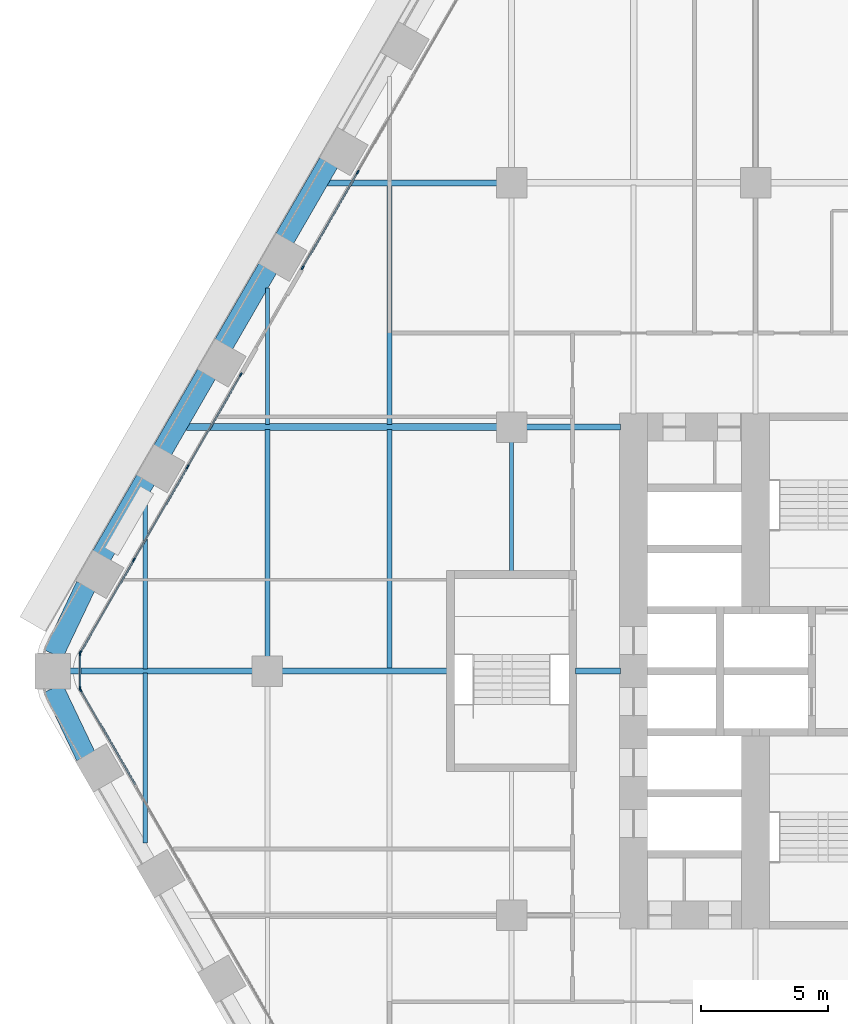
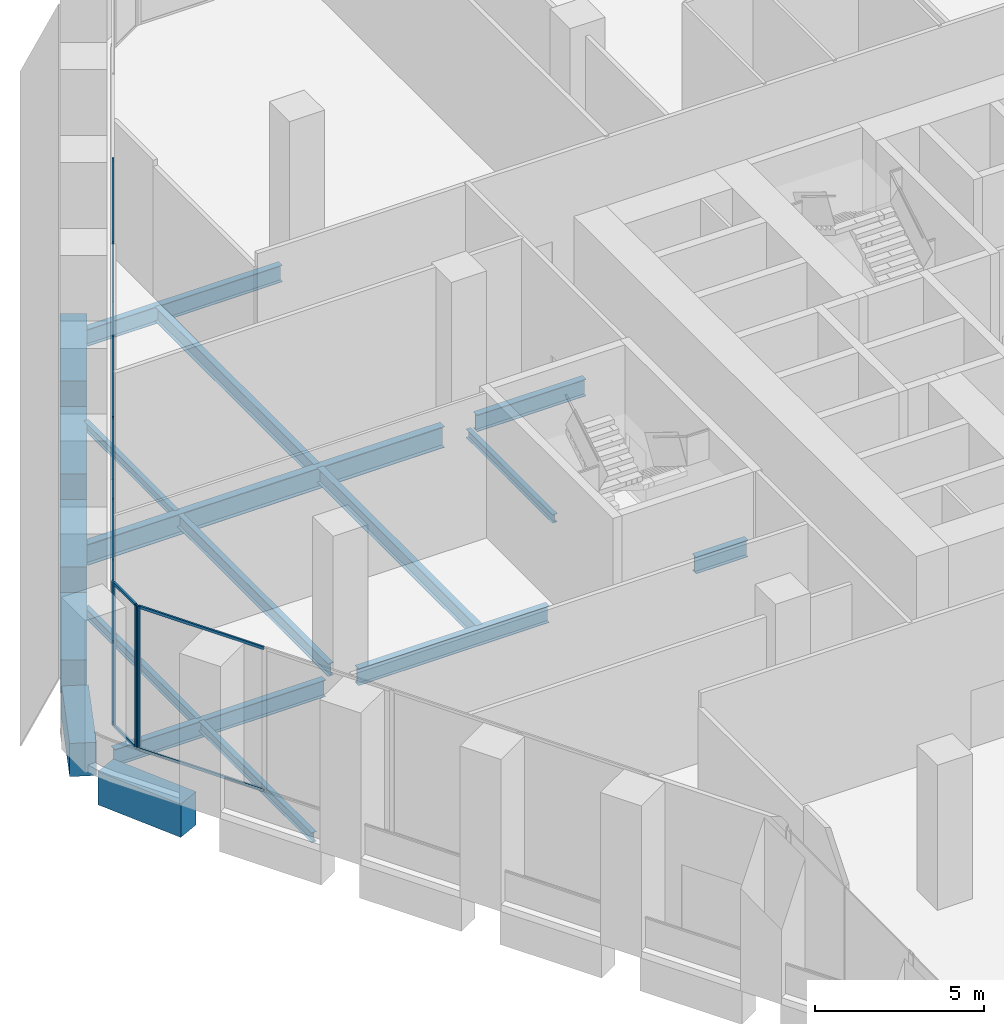
# One storey, part 8 of 29: 21 members, 19 beams, 4 elements without a shape of their own.
"""IFC4 building model written with IfcOpenShell, lengths in metres."""

from ifc_helpers import new_model, si_unit, direction, frame, origin, origin_2d, place, context, subcontext, project, spatial, rectangle, i_section, extrude, material, material_profile, profile_set, type_object, element, aggregate, save


model = new_model("IFC4")

# Units and contexts
model_context = context("Model", 3, precision=1e-05, world=origin(), true_north=direction((0.0, 1.0)))
body_context = subcontext(model_context, "Body", "Model", "MODEL_VIEW")
ifc_project = project(units=[si_unit("LENGTHUNIT", "METRE"), si_unit("AREAUNIT", "SQUARE_METRE"), si_unit("VOLUMEUNIT", "CUBIC_METRE"), si_unit("PLANEANGLEUNIT", "RADIAN"), si_unit("MASSUNIT", "GRAM", prefix="KILO")], contexts=[model_context])

# Site, building, storey
site_placement = place(None, origin())
site = spatial("IfcSite", under=ifc_project, at=site_placement, CompositionType="ELEMENT")
building_placement = place(site_placement, origin())
building = spatial("IfcBuilding", under=site, at=building_placement, Name="Kolab Exchange Tower", CompositionType="ELEMENT")
storey_placement = place(building_placement, frame((0.0, 0.0, 55.39990234375)))
storey = spatial("IfcBuildingStorey", under=building, at=storey_placement, Name="L10", CompositionType="ELEMENT", Elevation=55.39990234375)

# Beams
ifc_material_1 = material(Name="Steel S355", Category="steel")
ifc_material_profile_1 = material_profile(ifc_material_1, i_section(OverallWidth=0.1650390625, OverallDepth=0.31005859375, WebThickness=0.005859375, FlangeThickness=0.009765625, at=origin_2d()), Name="W310X39")
ifc_profile_set_1 = profile_set([ifc_material_profile_1], Name="Steel S355")
beam_type_1 = type_object("IfcBeamType", Name="FLOOR BEAM W310X39", PredefinedType="BEAM", material=ifc_profile_set_1)
beam_1_placement = place(storey_placement, frame((-28.800048828125, 9.693603515625, -0.40478515625), z_axis=(0.0, 1.0, 0.0), x_axis=(-1.0, 0.0, 0.0)))
element("IfcBeam", 1, at=beam_1_placement, inside=storey, type_object=beam_type_1, Name="beam/L10/fr/005", PredefinedType="BEAM", context=body_context, shape_type="SweptSolid", body=[
    extrude(i_section(OverallWidth=0.1650390625, OverallDepth=0.31005859375, WebThickness=0.005859375, FlangeThickness=0.009765625, at=origin_2d()), origin(), (0.0, 0.0, 1.0), 5.3740234375),
])
beam_2_placement = place(storey_placement, frame((-19.199951171875, 3.909912109375, -0.40478515625), z_axis=(0.0, 1.0, 0.0), x_axis=(-1.0, 0.0, 0.0)))
element("IfcBeam", 2, at=beam_2_placement, inside=storey, type_object=beam_type_1, Name="beam/L10/fr/015", PredefinedType="BEAM", context=body_context, shape_type="SweptSolid", body=[
    extrude(i_section(OverallWidth=0.1650390625, OverallDepth=0.31005859375, WebThickness=0.005859375, FlangeThickness=0.009765625, at=origin_2d()), origin(), (0.0, 0.0, 1.0), 5.130126953125),
])
ifc_material_profile_2 = material_profile(ifc_material_1, i_section(OverallWidth=0.1708984375, OverallDepth=0.35498046875, WebThickness=0.007080078125, FlangeThickness=0.01171875, at=origin_2d()), Name="W360X51")
ifc_profile_set_2 = profile_set([ifc_material_profile_2], Name="Steel S355")
beam_type_2 = type_object("IfcBeamType", Name="FLOOR BEAM W360X51", PredefinedType="BEAM", material=ifc_profile_set_2)
for number, where, z_axis, x_axis, name in (
    (3, (-33.60009765625, -6.75390625, -0.427490234375), (0.0, 1.0, 0.0), (-1.0, 0.0, 0.0), "beam/L10/fr/000"),
    (4, (-33.60009765625, 0.073974609375, -0.427490234375), (0.0, 1.0, 0.0), (-1.0, 0.0, 0.0), "beam/L10/fr/001"),
):
    element("IfcBeam", number, at=place(storey_placement, frame(where, z_axis=z_axis, x_axis=x_axis)), inside=storey, type_object=beam_type_2, Name=name, PredefinedType="BEAM", context=body_context, shape_type="SweptSolid", body=[
        extrude(i_section(OverallWidth=0.1708984375, OverallDepth=0.35498046875, WebThickness=0.007080078125, FlangeThickness=0.01171875, at=origin_2d()), origin(), (0.0, 0.0, 1.0), 6.679931640625),
    ])
ifc_material_profile_3 = material_profile(ifc_material_1, i_section(OverallWidth=0.18994140625, OverallDepth=0.45703125, WebThickness=0.009033203125, FlangeThickness=0.014404296875, at=origin_2d()), Name="W460X74")
ifc_profile_set_3 = profile_set([ifc_material_profile_3], Name="Steel S355")
beam_type_3 = type_object("IfcBeamType", Name="FLOOR BEAM W460X74", PredefinedType="BEAM", material=ifc_profile_set_3)
beam_3_placement = place(storey_placement, frame((-28.800048828125, 0.56005859375, -0.478515625), z_axis=(0.0, 1.0, 0.0), x_axis=(-1.0, 0.0, 0.0)))
element("IfcBeam", 5, at=beam_3_placement, inside=storey, type_object=beam_type_3, Name="beam/L10/fr/004", PredefinedType="BEAM", context=body_context, shape_type="SweptSolid", body=[
    extrude(i_section(OverallWidth=0.18994140625, OverallDepth=0.45703125, WebThickness=0.009033203125, FlangeThickness=0.014404296875, at=origin_2d()), origin(), (0.0, 0.0, 1.0), 8.946533203125),
])
ifc_material_profile_4 = material_profile(ifc_material_1, i_section(OverallWidth=0.208984375, OverallDepth=0.532958984375, WebThickness=0.01025390625, FlangeThickness=0.015625, at=origin_2d()), Name="W530X92")
ifc_profile_set_4 = profile_set([ifc_material_profile_4], Name="Steel S355")
beam_type_4 = type_object("IfcBeamType", Name="FLOOR BEAM W530X92", PredefinedType="BEAM", material=ifc_profile_set_4)
beam_4_placement = place(storey_placement, frame((-24.0, 0.073974609375, -0.516357421875), z_axis=(0.0, 1.0, 0.0), x_axis=(-1.0, 0.0, 0.0)))
element("IfcBeam", 6, at=beam_4_placement, inside=storey, type_object=beam_type_4, Name="beam/L10/fr/009", PredefinedType="BEAM", context=body_context, shape_type="SweptSolid", body=[
    extrude(i_section(OverallWidth=0.208984375, OverallDepth=0.532958984375, WebThickness=0.01025390625, FlangeThickness=0.015625, at=origin_2d()), origin(), (0.0, 0.0, 1.0), 9.4326171875),
])
beam_5_placement = place(storey_placement, frame((-24.0, 9.693603515625, -0.516357421875), z_axis=(0.0, 1.0, 0.0), x_axis=(-1.0, 0.0, 0.0)))
element("IfcBeam", 7, at=beam_5_placement, inside=storey, type_object=beam_type_4, Name="beam/L10/fr/010", PredefinedType="BEAM", context=body_context, shape_type="SweptSolid", body=[
    extrude(i_section(OverallWidth=0.208984375, OverallDepth=0.532958984375, WebThickness=0.01025390625, FlangeThickness=0.015625, at=origin_2d()), origin(), (0.0, 0.0, 1.0), 9.432373046875),
])
ifc_material_profile_5 = material_profile(ifc_material_1, i_section(OverallWidth=0.22802734375, OverallDepth=0.60791015625, WebThickness=0.01123046875, FlangeThickness=0.017333984375, at=origin_2d()), Name="W610X113")
ifc_profile_set_5 = profile_set([ifc_material_profile_5], Name="Steel S355")
beam_type_5 = type_object("IfcBeamType", Name="FLOOR GIRDER W610X113", PredefinedType="BEAM", material=ifc_profile_set_5)
beam_6_placement = place(storey_placement, frame((-36.575927734375, 0.0, -0.553955078125), z_axis=(1.0, 0.0, 0.0), x_axis=(0.0, 1.0, 0.0)))
element("IfcBeam", 8, at=beam_6_placement, inside=storey, type_object=beam_type_5, Name="beam/L10/gd/000", PredefinedType="BEAM", context=body_context, shape_type="SweptSolid", body=[
    extrude(i_section(OverallWidth=0.22802734375, OverallDepth=0.60791015625, WebThickness=0.01123046875, FlangeThickness=0.017333984375, at=origin_2d()), origin(), (0.0, 0.0, 1.0), 7.2158203125),
])
beam_7_placement = place(storey_placement, frame((-28.239990234375, 0.0, -0.553955078125), z_axis=(1.0, 0.0, 0.0), x_axis=(0.0, 1.0, 0.0)))
element("IfcBeam", 9, at=beam_7_placement, inside=storey, type_object=beam_type_5, Name="beam/L10/gd/003", PredefinedType="BEAM", context=body_context, shape_type="SweptSolid", body=[
    extrude(i_section(OverallWidth=0.22802734375, OverallDepth=0.60791015625, WebThickness=0.01123046875, FlangeThickness=0.017333984375, at=origin_2d()), origin(), (0.0, 0.0, 1.0), 6.530029296875),
])
beam_8_placement = place(storey_placement, frame((-26.43115234375, 19.199951171875, -0.553955078125), z_axis=(1.0, 0.0, 0.0), x_axis=(0.0, 1.0, 0.0)))
element("IfcBeam", 10, at=beam_8_placement, inside=storey, type_object=beam_type_5, Name="beam/L10/gd/005", PredefinedType="BEAM", context=body_context, shape_type="SweptSolid", body=[
    extrude(i_section(OverallWidth=0.22802734375, OverallDepth=0.60791015625, WebThickness=0.01123046875, FlangeThickness=0.017333984375, at=origin_2d()), origin(), (0.0, 0.0, 1.0), 6.671142578125),
])
beam_9_placement = place(storey_placement, frame((-18.639892578125, 9.60009765625, -0.553955078125), z_axis=(1.0, 0.0, 0.0), x_axis=(0.0, 1.0, 0.0)))
element("IfcBeam", 11, at=beam_9_placement, inside=storey, type_object=beam_type_5, Name="beam/L10/gd/008", PredefinedType="BEAM", context=body_context, shape_type="SweptSolid", body=[
    extrude(i_section(OverallWidth=0.22802734375, OverallDepth=0.60791015625, WebThickness=0.01123046875, FlangeThickness=0.017333984375, at=origin_2d()), origin(), (0.0, 0.0, 1.0), 3.72998046875),
])
beam_10_placement = place(storey_placement, frame((-16.68994140625, 0.0, -0.553955078125), z_axis=(1.0, 0.0, 0.0), x_axis=(0.0, 1.0, 0.0)))
element("IfcBeam", 12, at=beam_10_placement, inside=storey, type_object=beam_type_5, Name="beam/L10/gd/010", PredefinedType="BEAM", context=body_context, shape_type="SweptSolid", body=[
    extrude(i_section(OverallWidth=0.22802734375, OverallDepth=0.60791015625, WebThickness=0.01123046875, FlangeThickness=0.017333984375, at=origin_2d()), origin(), (0.0, 0.0, 1.0), 1.780029296875),
])
ifc_material_profile_6 = material_profile(ifc_material_1, i_section(OverallWidth=0.26708984375, OverallDepth=0.761962890625, WebThickness=0.014404296875, FlangeThickness=0.021484375, at=origin_2d()), Name="W760X173")
ifc_profile_set_6 = profile_set([ifc_material_profile_6], Name="Steel S355")
beam_type_6 = type_object("IfcBeamType", Name="FLOOR GIRDER W760X173", PredefinedType="BEAM", material=ifc_profile_set_6)
beam_11_placement = place(storey_placement, frame((-31.9736328125, 9.60009765625, -0.630859375), z_axis=(1.0, 0.0, 0.0), x_axis=(0.0, 1.0, 0.0)))
element("IfcBeam", 13, at=beam_11_placement, inside=storey, type_object=beam_type_6, Name="beam/L10/gd/002", PredefinedType="BEAM", context=body_context, shape_type="SweptSolid", body=[
    extrude(i_section(OverallWidth=0.26708984375, OverallDepth=0.761962890625, WebThickness=0.014404296875, FlangeThickness=0.021484375, at=origin_2d()), origin(), (0.0, 0.0, 1.0), 12.213623046875),
])
ifc_material_2 = material(Name="Concrete C80/95", Category="concrete")
ifc_material_profile_7 = material_profile(ifc_material_2, rectangle(XDim=0.800048828125, YDim=1.199951171875, at=origin_2d()), Name="RC800X1200")
ifc_profile_set_7 = profile_set([ifc_material_profile_7], Name="Concrete C80/95")
beam_type_7 = type_object("IfcBeamType", Name="SPANDREL BEAM 800X1200 C80/95", PredefinedType="BEAM", material=ifc_profile_set_7)
for number, where, z_axis, x_axis, name in (
    (14, (-35.93798828125, -3.35888671875, -0.849853515625), (-0.429555669245, 0.903040379507, 0.0), (-0.903040379507, -0.429555669245, 0.0), "beam/L10/sp/F5-08"),
    (15, (-37.219970703125, 0.663818359375, -0.849853515625), (0.429555669245, 0.903040379507, 0.0), (-0.903040379507, 0.429555669245, 0.0), "beam/L10/sp/F6-01"),
):
    element("IfcBeam", number, at=place(storey_placement, frame(where, z_axis=z_axis, x_axis=x_axis)), inside=storey, type_object=beam_type_7, Name=name, PredefinedType="BEAM", context=body_context, shape_type="SweptSolid", body=[
        extrude(rectangle(XDim=0.800048828125, YDim=1.199951171875, at=origin_2d()), origin(), (0.0, 0.0, 1.0), 2.984375),
    ])
beam_12_placement = place(storey_placement, frame((-35.323486328125, 4.528564453125, -0.849853515625), z_axis=(0.500009906705, 0.86601968407, 0.0), x_axis=(-0.86601968407, 0.500009906705, 0.0)))
element("IfcBeam", 16, at=beam_12_placement, inside=storey, type_object=beam_type_7, Name="beam/L10/sp/F6-02", PredefinedType="BEAM", context=body_context, shape_type="SweptSolid", body=[
    extrude(rectangle(XDim=0.800048828125, YDim=1.199951171875, at=origin_2d()), origin(), (0.0, 0.0, 1.0), 3.47998046875),
])
for number, where, z_axis, x_axis, name in (
    (17, (-32.923583984375, 8.685302734375, -0.849853515625), (0.499979528911, 0.866037222451, 0.0), (-0.866037222451, 0.499979528911, 0.0), "beam/L10/sp/F6-03"),
    (18, (-30.523681640625, 12.84228515625, -0.849853515625), (0.499979528911, 0.866037222451, 0.0), (-0.866037222451, 0.499979528911, 0.0), "beam/L10/sp/F6-04"),
):
    element("IfcBeam", number, at=place(storey_placement, frame(where, z_axis=z_axis, x_axis=x_axis)), inside=storey, type_object=beam_type_7, Name=name, PredefinedType="BEAM", context=body_context, shape_type="SweptSolid", body=[
        extrude(rectangle(XDim=0.800048828125, YDim=1.199951171875, at=origin_2d()), origin(), (0.0, 0.0, 1.0), 3.480224609375),
    ])
beam_13_placement = place(storey_placement, frame((-28.12353515625, 16.999267578125, -0.849853515625), z_axis=(0.500009906705, 0.86601968407, 0.0), x_axis=(-0.86601968407, 0.500009906705, 0.0)))
element("IfcBeam", 19, at=beam_13_placement, inside=storey, type_object=beam_type_7, Name="beam/L10/sp/F6-05", PredefinedType="BEAM", context=body_context, shape_type="SweptSolid", body=[
    extrude(rectangle(XDim=0.800048828125, YDim=1.199951171875, at=origin_2d()), origin(), (0.0, 0.0, 1.0), 3.47998046875),
])

# Curtain wall, member
ifc_material_3 = material(Name="Aluminium EN AW-6063 T6", Category="aluminium")
curtain_wall_type = type_object("IfcCurtainWallType", Name="UNITISED LOW ZONE CURTAIN WALL", PredefinedType="NOTDEFINED", material=ifc_material_3)
curtain_wall_1_placement = place(storey_placement, origin())
curtain_wall_1 = element("IfcCurtainWall", 20, at=curtain_wall_1_placement, inside=storey, type_object=curtain_wall_type, Name="cw/L10/F5-2", PredefinedType="NOTDEFINED")
ifc_material_profile_8 = material_profile(ifc_material_3, rectangle(XDim=0.06005859375, YDim=0.159912109375, at=origin_2d()), Name="RECT 60X160")
ifc_profile_set_8 = profile_set([ifc_material_profile_8], Name="Aluminium EN AW-6063 T6")
member_type_1 = type_object("IfcMemberType", Name="UNITISED LOW ZONE MULLION 60 X 160", PredefinedType="MULLION", material=ifc_profile_set_8)
member_1_placement = place(storey_placement, frame((-36.150634765625, -0.736083984375, 0.0), z_axis=(0.0, 0.0, 1.0), x_axis=(-0.866025422102, -0.499999968274, 0.0)))
member_1 = element("IfcMember", 21, at=member_1_placement, type_object=member_type_1, Name="CW1 mullion 5", PredefinedType="MULLION", context=body_context, shape_type="SweptSolid", body=[
    extrude(rectangle(XDim=0.06005859375, YDim=0.159912109375, at=origin_2d()), origin(), (0.0, 0.0, 1.0), 5.2001953125),
])

# Curtain wall, members
curtain_wall_2_placement = place(storey_placement, origin())
curtain_wall_2 = element("IfcCurtainWall", 22, at=curtain_wall_2_placement, inside=storey, type_object=curtain_wall_type, Name="cw/L10/F6-1", PredefinedType="NOTDEFINED")
member_2_placement = place(storey_placement, frame((-36.150634765625, 0.736083984375, 0.0), z_axis=(0.0, 0.0, 1.0), x_axis=(-0.866025427826, 0.499999958358, 0.0)))
member_2 = element("IfcMember", 23, at=member_2_placement, type_object=member_type_1, Name="CW1 mullion 1", PredefinedType="MULLION", context=body_context, shape_type="SweptSolid", body=[
    extrude(rectangle(XDim=0.06005859375, YDim=0.159912109375, at=origin_2d()), origin(), (0.0, 0.0, 1.0), 5.2001953125),
])
member_3_placement = place(storey_placement, frame((-34.054443359375, 4.366943359375, 0.0), z_axis=(0.0, 0.0, 1.0), x_axis=(-0.866025427826, 0.499999958358, 0.0)))
member_3 = element("IfcMember", 24, at=member_3_placement, type_object=member_type_1, Name="CW1 mullion 2", PredefinedType="MULLION", context=body_context, shape_type="SweptSolid", body=[
    extrude(rectangle(XDim=0.06005859375, YDim=0.159912109375, at=origin_2d()), origin(), (0.0, 0.0, 1.0), 5.2001953125),
])
member_4_placement = place(storey_placement, frame((-31.943115234375, 8.02392578125, 0.0), z_axis=(0.0, 0.0, 1.0), x_axis=(-0.866025427826, 0.499999958358, 0.0)))
member_4 = element("IfcMember", 25, at=member_4_placement, type_object=member_type_1, Name="CW1 mullion 3", PredefinedType="MULLION", context=body_context, shape_type="SweptSolid", body=[
    extrude(rectangle(XDim=0.06005859375, YDim=0.159912109375, at=origin_2d()), origin(), (0.0, 0.0, 1.0), 5.2001953125),
])
member_5_placement = place(storey_placement, frame((-29.8466796875, 11.65478515625, 0.0), z_axis=(0.0, 0.0, 1.0), x_axis=(-0.866025427826, 0.499999958358, 0.0)))
member_5 = element("IfcMember", 26, at=member_5_placement, type_object=member_type_1, Name="CW1 mullion 4", PredefinedType="MULLION", context=body_context, shape_type="SweptSolid", body=[
    extrude(rectangle(XDim=0.06005859375, YDim=0.159912109375, at=origin_2d()), origin(), (0.0, 0.0, 1.0), 5.2001953125),
])

curtain_wall_3_placement = place(storey_placement, origin())
curtain_wall_3 = element("IfcCurtainWall", 27, at=curtain_wall_3_placement, inside=storey, type_object=curtain_wall_type, Name="cw/L10/F6-2", PredefinedType="NOTDEFINED")
member_6_placement = place(storey_placement, frame((-27.416748046875, 15.86376953125, 0.0), z_axis=(0.0, 0.0, 1.0), x_axis=(-0.866025397318, 0.5000000112, 0.0)))
member_6 = element("IfcMember", 28, at=member_6_placement, type_object=member_type_1, Name="CW1 mullion 1", PredefinedType="MULLION", context=body_context, shape_type="SweptSolid", body=[
    extrude(rectangle(XDim=0.06005859375, YDim=0.159912109375, at=origin_2d()), origin(), (0.0, 0.0, 1.0), 5.2001953125),
])
member_7_placement = place(storey_placement, frame((-25.248291015625, 19.61962890625, 0.0), z_axis=(0.0, 0.0, 1.0), x_axis=(-0.866025397318, 0.5000000112, 0.0)))
member_7 = element("IfcMember", 29, at=member_7_placement, type_object=member_type_1, Name="CW1 mullion 2", PredefinedType="MULLION", context=body_context, shape_type="SweptSolid", body=[
    extrude(rectangle(XDim=0.06005859375, YDim=0.159912109375, at=origin_2d()), origin(), (0.0, 0.0, 1.0), 5.2001953125),
])

curtain_wall_4_placement = place(storey_placement, origin())
curtain_wall_4 = element("IfcCurtainWall", 30, at=curtain_wall_4_placement, inside=storey, type_object=curtain_wall_type, Name="cw/L10/F5F6-corner", PredefinedType="NOTDEFINED")
member_8_placement = place(storey_placement, frame((-36.165771484375, -0.679931640625, 0.0), z_axis=(0.0, 0.0, 1.0), x_axis=(-1.0, 0.0, 0.0)))
member_8 = element("IfcMember", 31, at=member_8_placement, type_object=member_type_1, Name="CW1 mullion 1", PredefinedType="MULLION", context=body_context, shape_type="SweptSolid", body=[
    extrude(rectangle(XDim=0.06005859375, YDim=0.159912109375, at=origin_2d()), origin(), (0.0, 0.0, 1.0), 5.2001953125),
])
member_9_placement = place(storey_placement, frame((-36.165771484375, 0.679931640625, 0.0), z_axis=(0.0, 0.0, 1.0), x_axis=(-1.0, 0.0, 0.0)))
member_9 = element("IfcMember", 32, at=member_9_placement, type_object=member_type_1, Name="CW1 mullion 2", PredefinedType="MULLION", context=body_context, shape_type="SweptSolid", body=[
    extrude(rectangle(XDim=0.06005859375, YDim=0.159912109375, at=origin_2d()), origin(), (0.0, 0.0, 1.0), 5.2001953125),
])

# Member
ifc_material_profile_9 = material_profile(ifc_material_3, rectangle(XDim=0.06005859375, YDim=0.10009765625, at=origin_2d()), Name="RECT 60X100")
ifc_profile_set_9 = profile_set([ifc_material_profile_9], Name="Aluminium EN AW-6063 T6")
member_type_2 = type_object("IfcMemberType", Name="UNITISED LOW ZONE TRANSOM 60 X 100", PredefinedType="USERDEFINED", material=ifc_profile_set_9)
member_10_placement = place(storey_placement, frame((-33.9970703125, -4.4658203125, 0.030029296875), z_axis=(-0.500043627578, 0.866000213925, 0.0), x_axis=(-0.866000213925, -0.500043627578, 0.0)))
member_10 = element("IfcMember", 33, at=member_10_placement, type_object=member_type_2, Name="CW1 transom 4.1", ObjectType="TRANSOM", PredefinedType="USERDEFINED", context=body_context, shape_type="SweptSolid", body=[
    extrude(rectangle(XDim=0.06005859375, YDim=0.10009765625, at=origin_2d()), origin(), (0.0, 0.0, 1.0), 4.27685546875),
])

member_11_placement = place(storey_placement, frame((-33.9970703125, -4.4658203125, 5.170166015625), z_axis=(-0.500043627578, 0.866000213925, 0.0), x_axis=(-0.866000213925, -0.500043627578, 0.0)))
member_11 = element("IfcMember", 34, at=member_11_placement, type_object=member_type_2, Name="CW1 transom 4.2", ObjectType="TRANSOM", PredefinedType="USERDEFINED", context=body_context, shape_type="SweptSolid", body=[
    extrude(rectangle(XDim=0.06005859375, YDim=0.10009765625, at=origin_2d()), origin(), (0.0, 0.0, 1.0), 4.27685546875),
])

aggregate(curtain_wall_1, [member_1, member_10, member_11])

member_12_placement = place(storey_placement, frame((-36.1357421875, 0.761962890625, 0.030029296875), z_axis=(0.500027577057, 0.866009481578, 0.0), x_axis=(-0.866009481578, 0.500027577057, 0.0)))
member_12 = element("IfcMember", 35, at=member_12_placement, type_object=member_type_2, Name="CW1 transom 1.1", ObjectType="TRANSOM", PredefinedType="USERDEFINED", context=body_context, shape_type="SweptSolid", body=[
    extrude(rectangle(XDim=0.06005859375, YDim=0.10009765625, at=origin_2d()), origin(), (0.0, 0.0, 1.0), 4.132568359375),
])

member_13_placement = place(storey_placement, frame((-36.1357421875, 0.761962890625, 5.170166015625), z_axis=(0.500027577057, 0.866009481578, 0.0), x_axis=(-0.866009481578, 0.500027577057, 0.0)))
member_13 = element("IfcMember", 36, at=member_13_placement, type_object=member_type_2, Name="CW1 transom 1.2", ObjectType="TRANSOM", PredefinedType="USERDEFINED", context=body_context, shape_type="SweptSolid", body=[
    extrude(rectangle(XDim=0.06005859375, YDim=0.10009765625, at=origin_2d()), origin(), (0.0, 0.0, 1.0), 4.132568359375),
])

member_14_placement = place(storey_placement, frame((-34.039306640625, 4.392822265625, 0.030029296875), z_axis=(0.49999322259, 0.866029316688, 0.0), x_axis=(-0.866029316688, 0.49999322259, 0.0)))
member_14 = element("IfcMember", 37, at=member_14_placement, type_object=member_type_2, Name="CW1 transom 2.1", ObjectType="TRANSOM", PredefinedType="USERDEFINED", context=body_context, shape_type="SweptSolid", body=[
    extrude(rectangle(XDim=0.06005859375, YDim=0.10009765625, at=origin_2d()), origin(), (0.0, 0.0, 1.0), 4.16259765625),
])

member_15_placement = place(storey_placement, frame((-34.039306640625, 4.392822265625, 5.170166015625), z_axis=(0.49999322259, 0.866029316688, 0.0), x_axis=(-0.866029316688, 0.49999322259, 0.0)))
member_15 = element("IfcMember", 38, at=member_15_placement, type_object=member_type_2, Name="CW1 transom 2.2", ObjectType="TRANSOM", PredefinedType="USERDEFINED", context=body_context, shape_type="SweptSolid", body=[
    extrude(rectangle(XDim=0.06005859375, YDim=0.10009765625, at=origin_2d()), origin(), (0.0, 0.0, 1.0), 4.16259765625),
])

member_16_placement = place(storey_placement, frame((-31.927978515625, 8.0498046875, 0.030029296875), z_axis=(0.500001996123, 0.866024251319, 0.0), x_axis=(-0.866024251319, 0.500001996123, 0.0)))
member_16 = element("IfcMember", 39, at=member_16_placement, type_object=member_type_2, Name="CW1 transom 3.1", ObjectType="TRANSOM", PredefinedType="USERDEFINED", context=body_context, shape_type="SweptSolid", body=[
    extrude(rectangle(XDim=0.06005859375, YDim=0.10009765625, at=origin_2d()), origin(), (0.0, 0.0, 1.0), 4.1328125),
])

member_17_placement = place(storey_placement, frame((-31.927978515625, 8.0498046875, 5.170166015625), z_axis=(0.500001996123, 0.866024251319, 0.0), x_axis=(-0.866024251319, 0.500001996123, 0.0)))
member_17 = element("IfcMember", 40, at=member_17_placement, type_object=member_type_2, Name="CW1 transom 3.2", ObjectType="TRANSOM", PredefinedType="USERDEFINED", context=body_context, shape_type="SweptSolid", body=[
    extrude(rectangle(XDim=0.06005859375, YDim=0.10009765625, at=origin_2d()), origin(), (0.0, 0.0, 1.0), 4.1328125),
])

aggregate(curtain_wall_2, [member_2, member_3, member_4, member_5, member_12, member_13, member_14, member_15, member_16, member_17])

member_18_placement = place(storey_placement, frame((-27.401611328125, 15.8896484375, 0.030029296875), z_axis=(0.499976099074, 0.866039202551, 0.0), x_axis=(-0.866039202551, 0.499976099074, 0.0)))
member_18 = element("IfcMember", 41, at=member_18_placement, type_object=member_type_2, Name="CW1 transom 1.1", ObjectType="TRANSOM", PredefinedType="USERDEFINED", context=body_context, shape_type="SweptSolid", body=[
    extrude(rectangle(XDim=0.06005859375, YDim=0.10009765625, at=origin_2d()), origin(), (0.0, 0.0, 1.0), 4.277099609375),
])

member_19_placement = place(storey_placement, frame((-27.401611328125, 15.8896484375, 5.170166015625), z_axis=(0.499976099074, 0.866039202551, 0.0), x_axis=(-0.866039202551, 0.499976099074, 0.0)))
member_19 = element("IfcMember", 42, at=member_19_placement, type_object=member_type_2, Name="CW1 transom 1.2", ObjectType="TRANSOM", PredefinedType="USERDEFINED", context=body_context, shape_type="SweptSolid", body=[
    extrude(rectangle(XDim=0.06005859375, YDim=0.10009765625, at=origin_2d()), origin(), (0.0, 0.0, 1.0), 4.277099609375),
])

aggregate(curtain_wall_3, [member_6, member_7, member_18, member_19])

member_20_placement = place(storey_placement, frame((-36.165771484375, -0.64990234375, 0.030029296875), z_axis=(0.0, 1.0, 0.0), x_axis=(-1.0, 0.0, 0.0)))
member_20 = element("IfcMember", 43, at=member_20_placement, type_object=member_type_2, Name="CW1 transom 1.1", ObjectType="TRANSOM", PredefinedType="USERDEFINED", context=body_context, shape_type="SweptSolid", body=[
    extrude(rectangle(XDim=0.06005859375, YDim=0.10009765625, at=origin_2d()), origin(), (0.0, 0.0, 1.0), 1.2998046875),
])

member_21_placement = place(storey_placement, frame((-36.165771484375, -0.64990234375, 5.170166015625), z_axis=(0.0, 1.0, 0.0), x_axis=(-1.0, 0.0, 0.0)))
member_21 = element("IfcMember", 44, at=member_21_placement, type_object=member_type_2, Name="CW1 transom 1.2", ObjectType="TRANSOM", PredefinedType="USERDEFINED", context=body_context, shape_type="SweptSolid", body=[
    extrude(rectangle(XDim=0.06005859375, YDim=0.10009765625, at=origin_2d()), origin(), (0.0, 0.0, 1.0), 1.2998046875),
])

aggregate(curtain_wall_4, [member_8, member_9, member_20, member_21])

save(model, "model.ifc")
